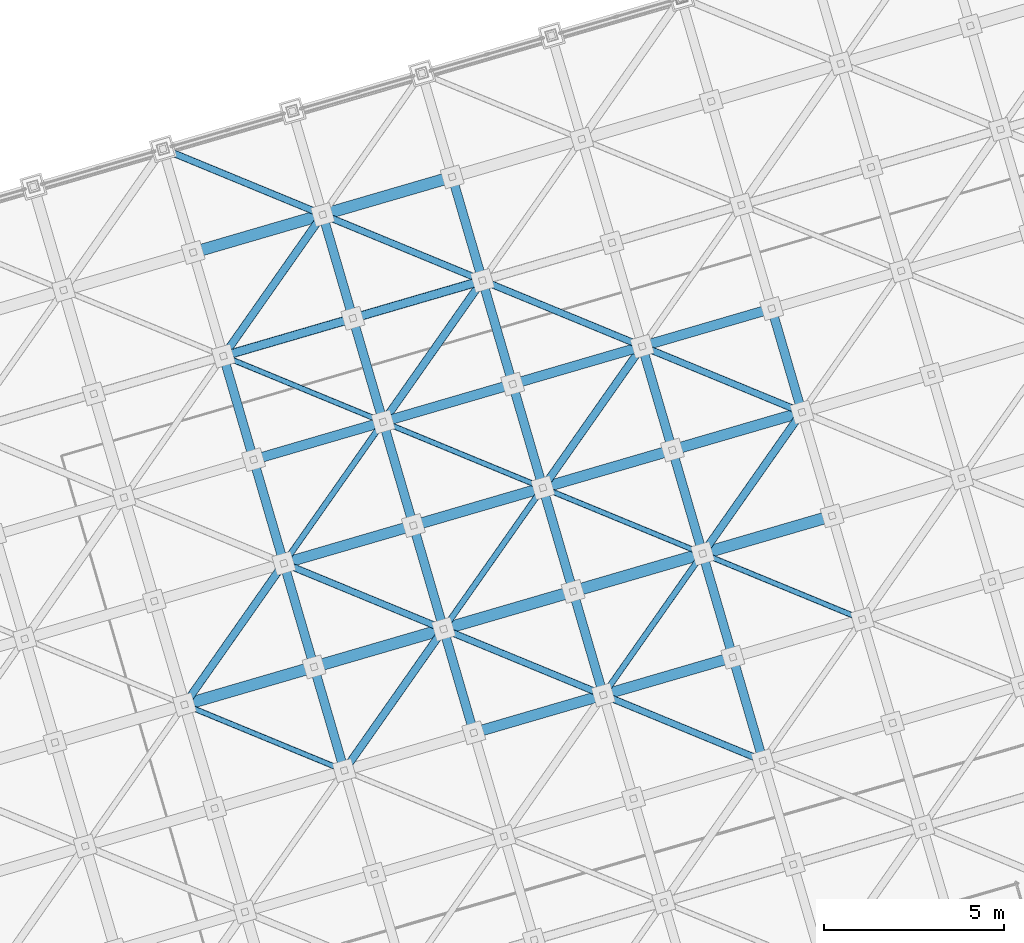
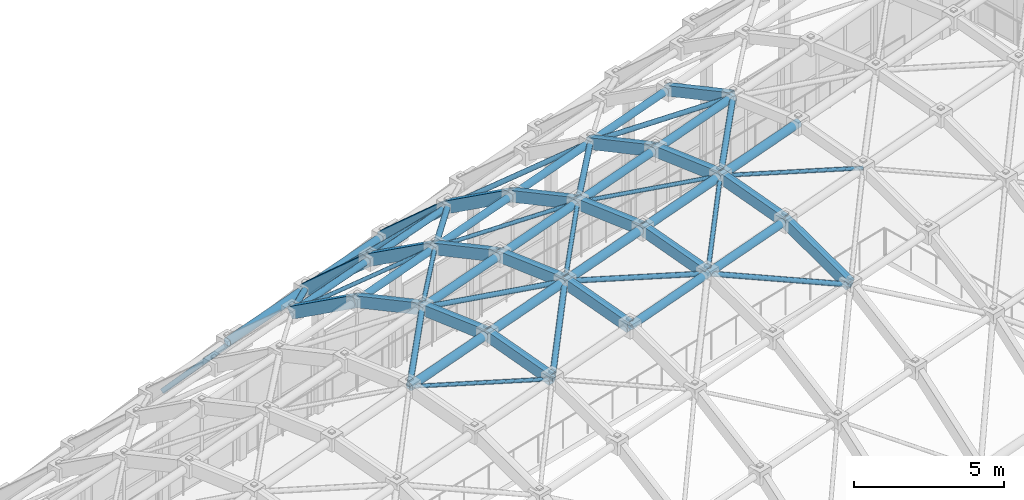
# One storey, part 58 of 248: 40 members, 19 beams.
"""IFC4 building model written with IfcOpenShell, lengths in metres."""

import ifcopenshell
import ifcopenshell.guid

model = None  # the IFC model being written
_history = None  # IfcOwnerHistory: only IFC2X3 demands one
_inside = {}  # id of a spatial element -> (the spatial element, [elements in it])
_under = {}  # id of a project, library or spatial element -> (it, [spatial elements below it])
_declared = {}  # id of a project -> (the project, [libraries it declares])
_typed = {}  # id of a type object -> (the type object, [elements of that type])
_made_of = {}  # id of a material, layer set ... -> (it, [elements and type objects made of it])


def new_model(schema):
    """Start an empty IFC model of exactly this schema.

    Asked for "IFC4X3", IfcOpenShell would pick the latest addendum, in which some entities
    have other attributes; the version numbers below select the first issue.
    IFC2X3 requires an IfcOwnerHistory on every rooted entity: one is made here for all.
    """
    global model, _history
    if schema == "IFC4X3":
        model = ifcopenshell.file(schema_version=(4, 3, 0, 0))
    else:
        model = ifcopenshell.file(schema=schema)
    _inside.clear()
    _under.clear()
    _declared.clear()
    _typed.clear()
    _made_of.clear()
    _history = None
    if model.schema == "IFC2X3":
        org = make("IfcOrganization", Name="unknown")
        user = make(
            "IfcPersonAndOrganization",
            ThePerson=make("IfcPerson", FamilyName="unknown"),
            TheOrganization=org,
        )
        app = make(
            "IfcApplication",
            ApplicationDeveloper=org,
            Version="unknown",
            ApplicationFullName="unknown",
            ApplicationIdentifier="unknown",
        )
        _history = make(
            "IfcOwnerHistory",
            OwningUser=user,
            OwningApplication=app,
            ChangeAction="ADDED",
            CreationDate=0,
        )
    return model


def make(cls, **values):
    """One entity of the class cls with the attributes given. An attribute that is None is left unset."""
    return model.create_entity(
        cls, **{name: value for name, value in values.items() if value is not None}
    )


def rooted(cls, **values):
    """An entity with a GlobalId (a new one), such as an element, a storey or a relation."""
    return make(cls, GlobalId=ifcopenshell.guid.new(), OwnerHistory=_history, **values)


def si_unit(unit_type, name, prefix=None):
    """IfcSIUnit, for example si_unit("LENGTHUNIT", "METRE", prefix="MILLI")."""
    return make("IfcSIUnit", UnitType=unit_type, Prefix=prefix, Name=name)


def assignment(units):
    """IfcUnitAssignment: the units of a project."""
    return None if units is None else make("IfcUnitAssignment", Units=units)


def point(xyz):
    """IfcCartesianPoint."""
    return None if xyz is None else make("IfcCartesianPoint", Coordinates=xyz)


def direction(xyz):
    """IfcDirection."""
    return None if xyz is None else make("IfcDirection", DirectionRatios=xyz)


def frame(location, z_axis=None, x_axis=None):
    """IfcAxis2Placement3D, a coordinate frame: its origin and axes. An axis left out is left unset."""
    return make(
        "IfcAxis2Placement3D",
        Location=point(location),
        Axis=direction(z_axis),
        RefDirection=direction(x_axis),
    )


def frame_2d(location, x_axis=None):
    """IfcAxis2Placement2D, a coordinate frame in the plane: its origin and x axis."""
    return make(
        "IfcAxis2Placement2D", Location=point(location), RefDirection=direction(x_axis)
    )


def origin():
    """The frame at (0, 0, 0) with its axes left unset."""
    return frame((0.0, 0.0, 0.0))


def origin_2d():
    """The frame at (0, 0) in the plane with its x axis left unset."""
    return frame_2d((0.0, 0.0))


def place(relative_to, where):
    """IfcLocalPlacement: puts the frame where relative to a parent placement (None: the world)."""
    return make(
        "IfcLocalPlacement", PlacementRelTo=relative_to, RelativePlacement=where
    )


def context(
    kind, dimensions, precision=None, world=None, true_north=None, identifier=None
):
    """IfcGeometricRepresentationContext, for example the 3D "Model" context."""
    return make(
        "IfcGeometricRepresentationContext",
        ContextIdentifier=identifier,
        ContextType=kind,
        CoordinateSpaceDimension=dimensions,
        Precision=precision,
        WorldCoordinateSystem=world,
        TrueNorth=true_north,
    )


def subcontext(parent, identifier, kind, view, scale=None):
    """IfcGeometricRepresentationSubContext, for example "Body" below "Model"."""
    return make(
        "IfcGeometricRepresentationSubContext",
        ContextIdentifier=identifier,
        ContextType=kind,
        ParentContext=parent,
        TargetScale=scale,
        TargetView=view,
    )


def project(units=None, contexts=None):
    """IfcProject with its units and contexts."""
    return rooted(
        "IfcProject",
        Name="project",
        RepresentationContexts=contexts,
        UnitsInContext=assignment(units),
    )


def spatial(cls, under=None, at=None, **own):
    """A site, building, storey or space (cls), placed at a placement, below another one or the project."""
    s = rooted(cls, ObjectPlacement=at, **own)
    if under is not None:
        _under.setdefault(under.id(), (under, []))[1].append(s)
    return s


def profile(cls, at=None, kind="AREA", **sizes):
    """A parametric profile (cls). Its sizes go by their IFC names, for example OverallWidth=200.0."""
    return make(cls, ProfileType=kind, Position=at, **sizes)


def hollow_rectangle(**sizes):
    """IfcRectangleHollowProfileDef."""
    return profile("IfcRectangleHollowProfileDef", **sizes)


def hollow_circle(**sizes):
    """IfcCircleHollowProfileDef."""
    return profile("IfcCircleHollowProfileDef", **sizes)


def extrude(swept, where, along, depth):
    """IfcExtrudedAreaSolid: the profile swept, set in the frame where, extruded along a direction by depth."""
    return make(
        "IfcExtrudedAreaSolid",
        SweptArea=swept,
        Position=where,
        ExtrudedDirection=direction(along),
        Depth=depth,
    )


def shape(context_of_items, identifier, shape_type, items):
    """IfcShapeRepresentation: the items that make up one representation, for example the "Body"."""
    return make(
        "IfcShapeRepresentation",
        ContextOfItems=context_of_items,
        RepresentationIdentifier=identifier,
        RepresentationType=shape_type,
        Items=items,
    )


def material(Name=None, Category=None):
    """IfcMaterial."""
    return make("IfcMaterial", Name=Name, Category=Category)


def material_profile(
    of_material, cross_section, Name=None, Category=None, Priority=None
):
    """IfcMaterialProfile: a cross section and its material."""
    return make(
        "IfcMaterialProfile",
        Name=Name,
        Material=of_material,
        Profile=cross_section,
        Priority=Priority,
        Category=Category,
    )


def profile_set(profiles, Name=None, composite=None):
    """IfcMaterialProfileSet."""
    return make(
        "IfcMaterialProfileSet",
        Name=Name,
        MaterialProfiles=profiles,
        CompositeProfile=composite,
    )


def made_of(thing, what):
    """Note that an element or type object is made of a material, layer set ...; save() writes the relation."""
    if what is not None:
        _made_of.setdefault(what.id(), (what, []))[1].append(thing)
    return thing


def type_object(cls, material=None, **own):
    """A type object (cls), such as IfcWallType, which elements share."""
    return made_of(rooted(cls, **own), material)


def element(
    cls,
    number,
    at=None,
    inside=None,
    cuts=None,
    type_object=None,
    material=None,
    context=None,
    identifier="Body",
    shape_type=None,
    held_by="IfcProductDefinitionShape",
    body=None,
    shapes=None,
    **own,
):
    """One element of the class cls, such as IfcWall. Its Tag is "e" and its number.

    at: its placement. inside: the storey or other place that contains it. cuts: it is an
    opening in that element (IfcRelVoidsElement). A single representation is given by context,
    identifier, shape_type and body (its items); several are given by shapes. held_by: the class
    of the entity that holds the representations. save() writes the other relations.
    """
    e = rooted(cls, Tag="e%d" % number, ObjectPlacement=at, **own)
    if body is not None:
        shapes = [shape(context, identifier, shape_type, body)]
    if shapes is not None:
        e.Representation = make(held_by, Representations=shapes)
    if inside is not None:
        _inside.setdefault(inside.id(), (inside, []))[1].append(e)
    if cuts is not None:
        rooted(
            "IfcRelVoidsElement", RelatingBuildingElement=cuts, RelatedOpeningElement=e
        )
    if type_object is not None:
        _typed.setdefault(type_object.id(), (type_object, []))[1].append(e)
    return made_of(e, material)


def aggregate(whole, parts):
    """IfcRelAggregates: a whole, such as a stair, and the parts it consists of."""
    return rooted("IfcRelAggregates", RelatingObject=whole, RelatedObjects=parts)


def save(model, path):
    """Write the relations noted so far, then the file.

    IfcRelAggregates (storeys below a building ...), IfcRelContainedInSpatialStructure (elements
    in a storey), IfcRelDefinesByType, IfcRelAssociatesMaterial and IfcRelDeclares: one each for
    every whole, place, type object, material and project.
    """
    for whole, parts in _under.values():
        aggregate(whole, parts)
    for where, things in _inside.values():
        rooted(
            "IfcRelContainedInSpatialStructure",
            RelatedElements=things,
            RelatingStructure=where,
        )
    for kind, things in _typed.values():
        rooted("IfcRelDefinesByType", RelatedObjects=things, RelatingType=kind)
    for what, things in _made_of.values():
        rooted("IfcRelAssociatesMaterial", RelatedObjects=things, RelatingMaterial=what)
    for by, libraries in _declared.values():
        rooted("IfcRelDeclares", RelatingContext=by, RelatedDefinitions=libraries)
    model.write(path)


model = new_model("IFC4")

# Units and contexts
model_context = context("Model", 3, precision=1e-05, world=origin(), true_north=direction((0.0, 1.0)))
body_context = subcontext(model_context, "Body", "Model", "MODEL_VIEW")
ifc_project = project(units=[si_unit("LENGTHUNIT", "METRE"), si_unit("AREAUNIT", "SQUARE_METRE"), si_unit("VOLUMEUNIT", "CUBIC_METRE"), si_unit("PLANEANGLEUNIT", "RADIAN"), si_unit("MASSUNIT", "GRAM", prefix="KILO")], contexts=[model_context])

# Site, building, storey
site_placement = place(None, origin())
site = spatial("IfcSite", under=ifc_project, at=site_placement, CompositionType="ELEMENT")
building_placement = place(site_placement, origin())
building = spatial("IfcBuilding", under=site, at=building_placement, Name="Canggui Botanical Conservatory", CompositionType="ELEMENT")
storey_placement = place(building_placement, frame((0.0, 0.0, 5.39990234375)))
storey = spatial("IfcBuildingStorey", under=building, at=storey_placement, Name="L02", CompositionType="ELEMENT", Elevation=5.39990234375)

# Beams
ifc_material = material(Name="Steel Q355C", Category="steel")
ifc_material_profile_1 = material_profile(ifc_material, hollow_rectangle(XDim=0.25, YDim=0.449951171875, WallThickness=0.013916015625, at=origin_2d()), Name="RHS 250x450x14")
ifc_profile_set_1 = profile_set([ifc_material_profile_1], Name="Steel Q355C")
beam_type_1 = type_object("IfcBeamType", Name="BM-GJ02", PredefinedType="BEAM", material=ifc_profile_set_1)
beam_1_placement = place(storey_placement, frame((31.0400390625, 57.719970703125, 13.816162109375), z_axis=(-0.277749375577, 0.952225917953, 0.126968836903), x_axis=(-0.959995442804, -0.2800156242, 0.0)))
element("IfcBeam", 1, at=beam_1_placement, inside=storey, type_object=beam_type_1, Name="Conservatory Stepped-Arch Rib GJ-05 Segment 5", PredefinedType="BEAM", context=body_context, shape_type="SweptSolid", body=[
    extrude(hollow_rectangle(XDim=0.25, YDim=0.449951171875, WallThickness=0.013916015625, at=origin_2d()), origin(), (0.0, 0.0, 1.0), 3.024658203125),
])
beam_2_placement = place(storey_placement, frame((30.199951171875, 60.60009765625, 14.2001953125), z_axis=(-0.277696227377, 0.952239737831, -0.126981443507), x_axis=(-0.960010937337, -0.279962497833, 0.0)))
element("IfcBeam", 2, at=beam_2_placement, inside=storey, type_object=beam_type_1, Name="Conservatory Stepped-Arch Rib GJ-05 Segment 6", PredefinedType="BEAM", context=body_context, shape_type="SweptSolid", body=[
    extrude(hollow_rectangle(XDim=0.25, YDim=0.449951171875, WallThickness=0.013916015625, at=origin_2d()), origin(), (0.0, 0.0, 1.0), 3.0244140625),
])
beam_3_placement = place(storey_placement, frame((29.360107421875, 63.47998046875, 13.816162109375), z_axis=(-0.261403948618, 0.896187847093, -0.358490332324), x_axis=(-0.959995442804, -0.2800156242, 0.0)))
element("IfcBeam", 3, at=beam_3_placement, inside=storey, type_object=beam_type_1, Name="Conservatory Stepped-Arch Rib GJ-05 Segment 7", PredefinedType="BEAM", context=body_context, shape_type="SweptSolid", body=[
    extrude(hollow_rectangle(XDim=0.25, YDim=0.449951171875, WallThickness=0.013916015625, at=origin_2d()), origin(), (0.0, 0.0, 1.0), 3.2138671875),
])
beam_4_placement = place(storey_placement, frame((28.52001953125, 66.360107421875, 12.6640625), z_axis=(-0.235868359053, 0.808574008543, -0.539049339028), x_axis=(-0.959989061447, -0.280037500885, 0.0)))
element("IfcBeam", 4, at=beam_4_placement, inside=storey, type_object=beam_type_1, Name="Conservatory Stepped-Arch Rib GJ-05 Segment 8", PredefinedType="BEAM", context=body_context, shape_type="SweptSolid", body=[
    extrude(hollow_rectangle(XDim=0.25, YDim=0.449951171875, WallThickness=0.013916015625, at=origin_2d()), origin(), (0.0, 0.0, 1.0), 3.561767578125),
])
beam_5_placement = place(storey_placement, frame((34.639892578125, 58.77001953125, 14.066162109375), z_axis=(-0.277696227377, 0.952239737831, 0.126981443507), x_axis=(-0.960010937337, -0.279962497833, 0.0)))
element("IfcBeam", 5, at=beam_5_placement, inside=storey, type_object=beam_type_1, Name="Conservatory Stepped-Arch Rib GJ-06 Segment 5", PredefinedType="BEAM", context=body_context, shape_type="SweptSolid", body=[
    extrude(hollow_rectangle(XDim=0.25, YDim=0.449951171875, WallThickness=0.013916015625, at=origin_2d()), origin(), (0.0, 0.0, 1.0), 3.0244140625),
])
beam_6_placement = place(storey_placement, frame((33.800048828125, 61.64990234375, 14.4501953125), z_axis=(-0.277749375577, 0.952225917953, -0.126968836903), x_axis=(-0.959995442804, -0.2800156242, 0.0)))
element("IfcBeam", 6, at=beam_6_placement, inside=storey, type_object=beam_type_1, Name="Conservatory Stepped-Arch Rib GJ-06 Segment 6", PredefinedType="BEAM", context=body_context, shape_type="SweptSolid", body=[
    extrude(hollow_rectangle(XDim=0.25, YDim=0.449951171875, WallThickness=0.013916015625, at=origin_2d()), origin(), (0.0, 0.0, 1.0), 3.024658203125),
])
beam_7_placement = place(storey_placement, frame((32.9599609375, 64.530029296875, 14.066162109375), z_axis=(-0.2613509637, 0.896190688314, -0.358521859796), x_axis=(-0.960010937337, -0.279962497833, 0.0)))
element("IfcBeam", 7, at=beam_7_placement, inside=storey, type_object=beam_type_1, Name="Conservatory Stepped-Arch Rib GJ-06 Segment 7", PredefinedType="BEAM", context=body_context, shape_type="SweptSolid", body=[
    extrude(hollow_rectangle(XDim=0.25, YDim=0.449951171875, WallThickness=0.013916015625, at=origin_2d()), origin(), (0.0, 0.0, 1.0), 3.21337890625),
])
beam_8_placement = place(storey_placement, frame((32.1201171875, 67.409912109375, 12.9140625), z_axis=(-0.23585528661, 0.808597737907, -0.539019463499), x_axis=(-0.959995442804, -0.2800156242, 0.0)))
element("IfcBeam", 8, at=beam_8_placement, inside=storey, type_object=beam_type_1, Name="Conservatory Stepped-Arch Rib GJ-06 Segment 8", PredefinedType="BEAM", context=body_context, shape_type="SweptSolid", body=[
    extrude(hollow_rectangle(XDim=0.25, YDim=0.449951171875, WallThickness=0.013916015625, at=origin_2d()), origin(), (0.0, 0.0, 1.0), 3.561767578125),
])
beam_9_placement = place(storey_placement, frame((31.280029296875, 70.2900390625, 10.994140625), z_axis=(-0.208562233276, 0.714966609628, -0.66732641336), x_axis=(-0.959989061447, -0.280037500885, 0.0)))
element("IfcBeam", 9, at=beam_9_placement, inside=storey, type_object=beam_type_1, Name="Conservatory Stepped-Arch Rib GJ-06 Segment 9", PredefinedType="BEAM", context=body_context, shape_type="SweptSolid", body=[
    extrude(hollow_rectangle(XDim=0.25, YDim=0.449951171875, WallThickness=0.013916015625, at=origin_2d()), origin(), (0.0, 0.0, 1.0), 4.028076171875),
])
beam_10_placement = place(storey_placement, frame((38.239990234375, 59.820068359375, 14.316162109375), z_axis=(-0.277770725345, 0.952218388891, 0.12697859662), x_axis=(-0.959989061447, -0.280037500885, 0.0)))
element("IfcBeam", 10, at=beam_10_placement, inside=storey, type_object=beam_type_1, Name="Conservatory Stepped-Arch Rib GJ-07 Segment 5", PredefinedType="BEAM", context=body_context, shape_type="SweptSolid", body=[
    extrude(hollow_rectangle(XDim=0.25, YDim=0.449951171875, WallThickness=0.013916015625, at=origin_2d()), origin(), (0.0, 0.0, 1.0), 3.0244140625),
])
beam_11_placement = place(storey_placement, frame((37.39990234375, 62.699951171875, 14.7001953125), z_axis=(-0.277674882378, 0.952247263781, -0.126971683134), x_axis=(-0.960017315421, -0.279940626011, 0.0)))
element("IfcBeam", 11, at=beam_11_placement, inside=storey, type_object=beam_type_1, Name="Conservatory Stepped-Arch Rib GJ-07 Segment 6", PredefinedType="BEAM", context=body_context, shape_type="SweptSolid", body=[
    extrude(hollow_rectangle(XDim=0.25, YDim=0.449951171875, WallThickness=0.013916015625, at=origin_2d()), origin(), (0.0, 0.0, 1.0), 3.024658203125),
])
beam_12_placement = place(storey_placement, frame((36.56005859375, 65.580078125, 14.316162109375), z_axis=(-0.261421746348, 0.896172891578, -0.358514740196), x_axis=(-0.959989061447, -0.280037500885, 0.0)))
element("IfcBeam", 12, at=beam_12_placement, inside=storey, type_object=beam_type_1, Name="Conservatory Stepped-Arch Rib GJ-07 Segment 7", PredefinedType="BEAM", context=body_context, shape_type="SweptSolid", body=[
    extrude(hollow_rectangle(XDim=0.25, YDim=0.449951171875, WallThickness=0.013916015625, at=origin_2d()), origin(), (0.0, 0.0, 1.0), 3.213623046875),
])
beam_13_placement = place(storey_placement, frame((35.719970703125, 68.4599609375, 13.1640625), z_axis=(-0.23585528661, 0.808597737907, -0.539019463499), x_axis=(-0.959995442804, -0.2800156242, 0.0)))
element("IfcBeam", 13, at=beam_13_placement, inside=storey, type_object=beam_type_1, Name="Conservatory Stepped-Arch Rib GJ-07 Segment 8", PredefinedType="BEAM", context=body_context, shape_type="SweptSolid", body=[
    extrude(hollow_rectangle(XDim=0.25, YDim=0.449951171875, WallThickness=0.013916015625, at=origin_2d()), origin(), (0.0, 0.0, 1.0), 3.561767578125),
])
beam_14_placement = place(storey_placement, frame((34.8798828125, 71.340087890625, 11.244140625), z_axis=(-0.208504257707, 0.714975646487, -0.667334848069), x_axis=(-0.960010937337, -0.279962497833, 0.0)))
element("IfcBeam", 14, at=beam_14_placement, inside=storey, type_object=beam_type_1, Name="Conservatory Stepped-Arch Rib GJ-07 Segment 9", PredefinedType="BEAM", context=body_context, shape_type="SweptSolid", body=[
    extrude(hollow_rectangle(XDim=0.25, YDim=0.449951171875, WallThickness=0.013916015625, at=origin_2d()), origin(), (0.0, 0.0, 1.0), 4.02783203125),
])
beam_15_placement = place(storey_placement, frame((42.679931640625, 57.989990234375, 13.4140625), z_axis=(-0.261333170082, 0.896205641703, 0.35849745047), x_axis=(-0.960017315421, -0.279940626011, 0.0)))
element("IfcBeam", 15, at=beam_15_placement, inside=storey, type_object=beam_type_1, Name="Conservatory Stepped-Arch Rib GJ-08 Segment 4", PredefinedType="BEAM", context=body_context, shape_type="SweptSolid", body=[
    extrude(hollow_rectangle(XDim=0.25, YDim=0.449951171875, WallThickness=0.013916015625, at=origin_2d()), origin(), (0.0, 0.0, 1.0), 3.213623046875),
])
for number, where, z_axis, x_axis, name in (
    (16, (41.840087890625, 60.8701171875, 14.566162109375), (-0.277770725345, 0.952218388891, 0.12697859662), (-0.959989061447, -0.280037500885, 0.0), "Conservatory Stepped-Arch Rib GJ-08 Segment 5"),
    (17, (41.0, 63.75, 14.9501953125), (-0.277770725345, 0.952218388891, -0.12697859662), (-0.959989061447, -0.280037500885, 0.0), "Conservatory Stepped-Arch Rib GJ-08 Segment 6"),
):
    element("IfcBeam", number, at=place(storey_placement, frame(where, z_axis=z_axis, x_axis=x_axis)), inside=storey, type_object=beam_type_1, Name=name, PredefinedType="BEAM", context=body_context, shape_type="SweptSolid", body=[
        extrude(hollow_rectangle(XDim=0.25, YDim=0.449951171875, WallThickness=0.013916015625, at=origin_2d()), origin(), (0.0, 0.0, 1.0), 3.0244140625),
    ])
beam_16_placement = place(storey_placement, frame((40.159912109375, 66.6298828125, 14.566162109375), z_axis=(-0.261333170082, 0.896205641703, -0.35849745047), x_axis=(-0.960017315421, -0.279940626011, 0.0)))
element("IfcBeam", 18, at=beam_16_placement, inside=storey, type_object=beam_type_1, Name="Conservatory Stepped-Arch Rib GJ-08 Segment 7", PredefinedType="BEAM", context=body_context, shape_type="SweptSolid", body=[
    extrude(hollow_rectangle(XDim=0.25, YDim=0.449951171875, WallThickness=0.013916015625, at=origin_2d()), origin(), (0.0, 0.0, 1.0), 3.213623046875),
])
ifc_material_profile_2 = material_profile(ifc_material, hollow_rectangle(XDim=0.25, YDim=0.39990234375, WallThickness=0.013916015625, at=origin_2d()), Name="RHS 250x400x14")
ifc_profile_set_2 = profile_set([ifc_material_profile_2], Name="Steel Q355C")
beam_type_2 = type_object("IfcBeamType", Name="BM-GJ03", PredefinedType="BEAM", material=ifc_profile_set_2)
beam_17_placement = place(storey_placement, frame((43.760009765625, 67.679931640625, 14.816162109375), z_axis=(-0.261403948618, 0.896187847093, -0.358490332324), x_axis=(-0.959995442804, -0.2800156242, 0.0)))
element("IfcBeam", 19, at=beam_17_placement, inside=storey, type_object=beam_type_2, Name="Conservatory Stepped-Arch Rib GJ-09 Segment 7", PredefinedType="BEAM", context=body_context, shape_type="SweptSolid", body=[
    extrude(hollow_rectangle(XDim=0.25, YDim=0.39990234375, WallThickness=0.013916015625, at=origin_2d()), origin(), (0.0, 0.0, 1.0), 3.2138671875),
])

# Members
ifc_material_profile_3 = material_profile(ifc_material, hollow_circle(Radius=0.16259765625, WallThickness=0.011962890625, at=origin_2d()), Name="CHS 325x12")
ifc_profile_set_3 = profile_set([ifc_material_profile_3], Name="Steel Q355C")
member_type_1 = type_object("IfcMemberType", Name="MEM-GSC01", PredefinedType="CHORD", material=ifc_profile_set_3)
for number, where, z_axis, x_axis, name in (
    (20, (26.60009765625, 59.550048828125, 13.9501953125), (0.957867059601, 0.279402253194, 0.066521252562), (-0.280022500685, 0.959993437014, 0.0), "Conservatory Gridshell Longitudinal Chord 4-5"),
    (21, (30.199951171875, 60.60009765625, 14.2001953125), (0.957889800097, 0.279324979006, 0.066518320582), (-0.279945000113, 0.960016039924, 0.0), "Conservatory Gridshell Longitudinal Chord 5-5"),
):
    element("IfcMember", number, at=place(storey_placement, frame(where, z_axis=z_axis, x_axis=x_axis)), inside=storey, type_object=member_type_1, Name=name, PredefinedType="CHORD", context=body_context, shape_type="SweptSolid", body=[
        extrude(hollow_circle(Radius=0.16259765625, WallThickness=0.011962890625, at=origin_2d()), origin(), (0.0, 0.0, 1.0), 3.75830078125),
    ])
member_1_placement = place(storey_placement, frame((26.840087890625, 72.1201171875, 8.05615234375), z_axis=(0.95788444389, 0.279342360714, 0.066522459854), x_axis=(-0.279962497833, 0.960010937337, 0.0)))
element("IfcMember", 22, at=member_1_placement, inside=storey, type_object=member_type_1, Name="Conservatory Gridshell Longitudinal Chord 5-9", PredefinedType="CHORD", context=body_context, shape_type="SweptSolid", body=[
    extrude(hollow_circle(Radius=0.16259765625, WallThickness=0.011962890625, at=origin_2d()), origin(), (0.0, 0.0, 1.0), 3.758056640625),
])
member_2_placement = place(storey_placement, frame((33.800048828125, 61.64990234375, 14.4501953125), z_axis=(0.957867059601, 0.279402253194, 0.066521252562), x_axis=(-0.280022500685, 0.959993437014, 0.0)))
element("IfcMember", 23, at=member_2_placement, inside=storey, type_object=member_type_1, Name="Conservatory Gridshell Longitudinal Chord 6-5", PredefinedType="CHORD", context=body_context, shape_type="SweptSolid", body=[
    extrude(hollow_circle(Radius=0.16259765625, WallThickness=0.011962890625, at=origin_2d()), origin(), (0.0, 0.0, 1.0), 3.75830078125),
])
for number, where, z_axis, x_axis, name in (
    (24, (30.43994140625, 73.169921875, 8.30615234375), (0.957872417874, 0.27938486839, 0.066517113516), (-0.280004999853, 0.959998541695, 0.0), "Conservatory Gridshell Longitudinal Chord 6-9"),
    (25, (37.39990234375, 62.699951171875, 14.7001953125), (0.957872417874, 0.27938486839, 0.066517113516), (-0.280004999853, 0.959998541695, 0.0), "Conservatory Gridshell Longitudinal Chord 7-5"),
    (26, (41.0, 63.75, 14.9501953125), (0.957872417874, 0.27938486839, 0.066517113516), (-0.280004999853, 0.959998541695, 0.0), "Conservatory Gridshell Longitudinal Chord 8-5"),
):
    element("IfcMember", number, at=place(storey_placement, frame(where, z_axis=z_axis, x_axis=x_axis)), inside=storey, type_object=member_type_1, Name=name, PredefinedType="CHORD", context=body_context, shape_type="SweptSolid", body=[
        extrude(hollow_circle(Radius=0.16259765625, WallThickness=0.011962890625, at=origin_2d()), origin(), (0.0, 0.0, 1.0), 3.758544921875),
    ])
ifc_material_profile_4 = material_profile(ifc_material, hollow_circle(Radius=0.1494140625, WallThickness=0.011962890625, at=origin_2d()), Name="CHS 299x12")
ifc_profile_set_4 = profile_set([ifc_material_profile_4], Name="Steel Q355C")
member_type_2 = type_object("IfcMemberType", Name="MEM-GSC02", PredefinedType="CHORD", material=ifc_profile_set_4)
member_3_placement = place(storey_placement, frame((29.360107421875, 63.47998046875, 13.816162109375), z_axis=(0.957867059601, 0.279402253194, 0.066521252562), x_axis=(-0.280022500685, 0.959993437014, 0.0)))
element("IfcMember", 27, at=member_3_placement, inside=storey, type_object=member_type_2, Name="Conservatory Gridshell Longitudinal Chord 5-6", PredefinedType="CHORD", context=body_context, shape_type="SweptSolid", body=[
    extrude(hollow_circle(Radius=0.1494140625, WallThickness=0.011962890625, at=origin_2d()), origin(), (0.0, 0.0, 1.0), 3.75830078125),
])
for number, where, z_axis, x_axis, name in (
    (28, (34.639892578125, 58.77001953125, 14.066162109375), (0.957872417874, 0.27938486839, 0.066517113516), (-0.280004999853, 0.959998541695, 0.0), "Conservatory Gridshell Longitudinal Chord 6-4"),
    (29, (32.9599609375, 64.530029296875, 14.066162109375), (0.957872417874, 0.27938486839, 0.066517113516), (-0.280004999853, 0.959998541695, 0.0), "Conservatory Gridshell Longitudinal Chord 6-6"),
    (30, (38.239990234375, 59.820068359375, 14.316162109375), (0.957872417874, 0.27938486839, 0.066517113516), (-0.280004999853, 0.959998541695, 0.0), "Conservatory Gridshell Longitudinal Chord 7-4"),
):
    element("IfcMember", number, at=place(storey_placement, frame(where, z_axis=z_axis, x_axis=x_axis)), inside=storey, type_object=member_type_2, Name=name, PredefinedType="CHORD", context=body_context, shape_type="SweptSolid", body=[
        extrude(hollow_circle(Radius=0.1494140625, WallThickness=0.011962890625, at=origin_2d()), origin(), (0.0, 0.0, 1.0), 3.758544921875),
    ])
member_4_placement = place(storey_placement, frame((36.56005859375, 65.580078125, 14.316162109375), z_axis=(0.95788444389, 0.279342360714, 0.066522459854), x_axis=(-0.279962497833, 0.960010937337, 0.0)))
element("IfcMember", 31, at=member_4_placement, inside=storey, type_object=member_type_2, Name="Conservatory Gridshell Longitudinal Chord 7-6", PredefinedType="CHORD", context=body_context, shape_type="SweptSolid", body=[
    extrude(hollow_circle(Radius=0.1494140625, WallThickness=0.011962890625, at=origin_2d()), origin(), (0.0, 0.0, 1.0), 3.758056640625),
])
member_5_placement = place(storey_placement, frame((40.159912109375, 66.6298828125, 14.566162109375), z_axis=(0.957872417874, 0.27938486839, 0.066517113516), x_axis=(-0.280004999853, 0.959998541695, 0.0)))
element("IfcMember", 32, at=member_5_placement, inside=storey, type_object=member_type_2, Name="Conservatory Gridshell Longitudinal Chord 8-6", PredefinedType="CHORD", context=body_context, shape_type="SweptSolid", body=[
    extrude(hollow_circle(Radius=0.1494140625, WallThickness=0.011962890625, at=origin_2d()), origin(), (0.0, 0.0, 1.0), 3.758544921875),
])
ifc_material_profile_5 = material_profile(ifc_material, hollow_circle(Radius=0.136474609375, WallThickness=0.010009765625, at=origin_2d()), Name="CHS 273x10")
ifc_profile_set_5 = profile_set([ifc_material_profile_5], Name="Steel Q355C")
member_type_3 = type_object("IfcMemberType", Name="MEM-GSC03", PredefinedType="CHORD", material=ifc_profile_set_5)
for number, where, z_axis, x_axis, name in (
    (33, (28.52001953125, 66.360107421875, 12.6640625), (0.957889800097, 0.279324979006, 0.066518320582), (-0.279945000113, 0.960016039924, 0.0), "Conservatory Gridshell Longitudinal Chord 5-7"),
    (34, (32.1201171875, 67.409912109375, 12.9140625), (0.957867059601, 0.279402253194, 0.066521252562), (-0.280022500685, 0.959993437014, 0.0), "Conservatory Gridshell Longitudinal Chord 6-7"),
):
    element("IfcMember", number, at=place(storey_placement, frame(where, z_axis=z_axis, x_axis=x_axis)), inside=storey, type_object=member_type_3, Name=name, PredefinedType="CHORD", context=body_context, shape_type="SweptSolid", body=[
        extrude(hollow_circle(Radius=0.136474609375, WallThickness=0.010009765625, at=origin_2d()), origin(), (0.0, 0.0, 1.0), 3.75830078125),
    ])
member_6_placement = place(storey_placement, frame((35.719970703125, 68.4599609375, 13.1640625), z_axis=(0.957872417874, 0.27938486839, 0.066517113516), x_axis=(-0.280004999853, 0.959998541695, 0.0)))
element("IfcMember", 35, at=member_6_placement, inside=storey, type_object=member_type_3, Name="Conservatory Gridshell Longitudinal Chord 7-7", PredefinedType="CHORD", context=body_context, shape_type="SweptSolid", body=[
    extrude(hollow_circle(Radius=0.136474609375, WallThickness=0.010009765625, at=origin_2d()), origin(), (0.0, 0.0, 1.0), 3.758544921875),
])
member_7_placement = place(storey_placement, frame((39.320068359375, 69.510009765625, 13.4140625), z_axis=(0.957867059601, 0.279402253194, 0.066521252562), x_axis=(-0.280022500685, 0.959993437014, 0.0)))
element("IfcMember", 36, at=member_7_placement, inside=storey, type_object=member_type_3, Name="Conservatory Gridshell Longitudinal Chord 8-7", PredefinedType="CHORD", context=body_context, shape_type="SweptSolid", body=[
    extrude(hollow_circle(Radius=0.136474609375, WallThickness=0.010009765625, at=origin_2d()), origin(), (0.0, 0.0, 1.0), 3.75830078125),
])
ifc_material_profile_6 = material_profile(ifc_material, hollow_circle(Radius=0.12255859375, WallThickness=0.010009765625, at=origin_2d()), Name="CHS 245x10")
ifc_profile_set_6 = profile_set([ifc_material_profile_6], Name="Steel Q355C")
member_type_4 = type_object("IfcMemberType", Name="MEM-GSC04", PredefinedType="CHORD", material=ifc_profile_set_6)
member_8_placement = place(storey_placement, frame((27.679931640625, 69.239990234375, 10.744140625), z_axis=(0.957872417874, 0.27938486839, 0.066517113516), x_axis=(-0.280004999853, 0.959998541695, 0.0)))
element("IfcMember", 37, at=member_8_placement, inside=storey, type_object=member_type_4, Name="Conservatory Gridshell Longitudinal Chord 5-8", PredefinedType="CHORD", context=body_context, shape_type="SweptSolid", body=[
    extrude(hollow_circle(Radius=0.12255859375, WallThickness=0.010009765625, at=origin_2d()), origin(), (0.0, 0.0, 1.0), 3.758544921875),
])
member_9_placement = place(storey_placement, frame((31.280029296875, 70.2900390625, 10.994140625), z_axis=(0.957867059601, 0.279402253194, 0.066521252562), x_axis=(-0.280022500685, 0.959993437014, 0.0)))
element("IfcMember", 38, at=member_9_placement, inside=storey, type_object=member_type_4, Name="Conservatory Gridshell Longitudinal Chord 6-8", PredefinedType="CHORD", context=body_context, shape_type="SweptSolid", body=[
    extrude(hollow_circle(Radius=0.12255859375, WallThickness=0.010009765625, at=origin_2d()), origin(), (0.0, 0.0, 1.0), 3.75830078125),
])
ifc_material_profile_7 = material_profile(ifc_material, hollow_circle(Radius=0.109619140625, WallThickness=0.008056640625, at=origin_2d()), Name="CHS 219x8")
ifc_profile_set_7 = profile_set([ifc_material_profile_7], Name="Steel Q355C")
member_type_5 = type_object("IfcMemberType", Name="MEM-GSD01", PredefinedType="RAFTER", material=ifc_profile_set_7)
member_10_placement = place(storey_placement, frame((26.60009765625, 59.550048828125, 13.9501953125), z_axis=(0.574503779946, 0.818026302149, -0.027899387456), x_axis=(-0.818344854073, 0.574727500484, 0.0)))
element("IfcMember", 39, at=member_10_placement, inside=storey, type_object=member_type_5, Name="Conservatory Gridshell Diagrid Rafter 4-6", PredefinedType="RAFTER", context=body_context, shape_type="SweptSolid", body=[
    extrude(hollow_circle(Radius=0.109619140625, WallThickness=0.008056640625, at=origin_2d()), origin(), (0.0, 0.0, 1.0), 4.80419921875),
])
member_11_placement = place(storey_placement, frame((31.0400390625, 57.719970703125, 13.816162109375), z_axis=(0.569782960748, 0.811304406826, 0.130891317918), x_axis=(-0.818344854073, 0.574727500484, 0.0)))
element("IfcMember", 40, at=member_11_placement, inside=storey, type_object=member_type_5, Name="Conservatory Gridshell Diagrid Rafter 5-5", PredefinedType="RAFTER", context=body_context, shape_type="SweptSolid", body=[
    extrude(hollow_circle(Radius=0.109619140625, WallThickness=0.008056640625, at=origin_2d()), origin(), (0.0, 0.0, 1.0), 4.843994140625),
])
member_12_placement = place(storey_placement, frame((27.679931640625, 69.239990234375, 10.744140625), z_axis=(0.512469671775, 0.72969697537, -0.452677765798), x_axis=(-0.818344854073, 0.574727500484, 0.0)))
element("IfcMember", 41, at=member_12_placement, inside=storey, type_object=member_type_5, Name="Conservatory Gridshell Diagrid Rafter 5-9", PredefinedType="RAFTER", context=body_context, shape_type="SweptSolid", body=[
    extrude(hollow_circle(Radius=0.109619140625, WallThickness=0.008056640625, at=origin_2d()), origin(), (0.0, 0.0, 1.0), 5.3857421875),
])
member_13_placement = place(storey_placement, frame((32.1201171875, 67.409912109375, 12.9140625), z_axis=(0.542789727502, 0.772985583273, -0.32843964403), x_axis=(-0.818385554577, 0.574669543355, 0.0)))
element("IfcMember", 42, at=member_13_placement, inside=storey, type_object=member_type_5, Name="Conservatory Gridshell Diagrid Rafter 6-8", PredefinedType="RAFTER", context=body_context, shape_type="SweptSolid", body=[
    extrude(hollow_circle(Radius=0.109619140625, WallThickness=0.008056640625, at=origin_2d()), origin(), (0.0, 0.0, 1.0), 5.08447265625),
])
member_14_placement = place(storey_placement, frame((36.56005859375, 65.580078125, 14.316162109375), z_axis=(0.564848070729, 0.804277699648, -0.184618630813), x_axis=(-0.818344854073, 0.574727500484, 0.0)))
element("IfcMember", 43, at=member_14_placement, inside=storey, type_object=member_type_5, Name="Conservatory Gridshell Diagrid Rafter 7-7", PredefinedType="RAFTER", context=body_context, shape_type="SweptSolid", body=[
    extrude(hollow_circle(Radius=0.109619140625, WallThickness=0.008056640625, at=origin_2d()), origin(), (0.0, 0.0, 1.0), 4.88623046875),
])
member_15_placement = place(storey_placement, frame((41.0, 63.75, 14.9501953125), z_axis=(0.574503779946, 0.818026302149, -0.027899387456), x_axis=(-0.818344854073, 0.574727500484, 0.0)))
element("IfcMember", 44, at=member_15_placement, inside=storey, type_object=member_type_5, Name="Conservatory Gridshell Diagrid Rafter 8-6", PredefinedType="RAFTER", context=body_context, shape_type="SweptSolid", body=[
    extrude(hollow_circle(Radius=0.109619140625, WallThickness=0.008056640625, at=origin_2d()), origin(), (0.0, 0.0, 1.0), 4.80419921875),
])
ifc_material_profile_8 = material_profile(ifc_material, hollow_circle(Radius=0.096923828125, WallThickness=0.008056640625, at=origin_2d()), Name="CHS 194x8")
ifc_profile_set_8 = profile_set([ifc_material_profile_8], Name="Steel Q355C")
member_type_6 = type_object("IfcMemberType", Name="MEM-GSD02", PredefinedType="RAFTER", material=ifc_profile_set_8)
member_16_placement = place(storey_placement, frame((29.360107421875, 63.47998046875, 13.816162109375), z_axis=(0.916587168266, -0.37780366289, 0.130890623336), x_axis=(0.381082183428, 0.924541166998, 0.0)))
element("IfcMember", 45, at=member_16_placement, inside=storey, type_object=member_type_6, Name="Conservatory Gridshell Diagrid Rafter 5-6", PredefinedType="RAFTER", context=body_context, shape_type="SweptSolid", body=[
    extrude(hollow_circle(Radius=0.096923828125, WallThickness=0.008056640625, at=origin_2d()), origin(), (0.0, 0.0, 1.0), 4.843994140625),
])
member_17_placement = place(storey_placement, frame((26.0, 75.0, 4.60009765625), z_axis=(0.731931437404, -0.301691304013, 0.61094903881), x_axis=(0.381082183428, 0.924541166998, 0.0)))
element("IfcMember", 46, at=member_17_placement, inside=storey, type_object=member_type_6, Name="Conservatory Gridshell Diagrid Rafter 5-10", PredefinedType="RAFTER", context=body_context, shape_type="SweptSolid", body=[
    extrude(hollow_circle(Radius=0.096923828125, WallThickness=0.008056640625, at=origin_2d()), origin(), (0.0, 0.0, 1.0), 6.066162109375),
])
member_18_placement = place(storey_placement, frame((33.800048828125, 61.64990234375, 14.4501953125), z_axis=(0.924199170591, -0.380890398305, -0.027899777007), x_axis=(0.381038726983, 0.924559077907, 0.0)))
element("IfcMember", 47, at=member_18_placement, inside=storey, type_object=member_type_6, Name="Conservatory Gridshell Diagrid Rafter 6-5", PredefinedType="RAFTER", context=body_context, shape_type="SweptSolid", body=[
    extrude(hollow_circle(Radius=0.096923828125, WallThickness=0.008056640625, at=origin_2d()), origin(), (0.0, 0.0, 1.0), 4.80419921875),
])
member_19_placement = place(storey_placement, frame((30.43994140625, 73.169921875, 8.30615234375), z_axis=(0.78866860804, -0.325034159093, 0.52187606011), x_axis=(0.381038726983, 0.924559077907, 0.0)))
element("IfcMember", 48, at=member_19_placement, inside=storey, type_object=member_type_6, Name="Conservatory Gridshell Diagrid Rafter 6-9", PredefinedType="RAFTER", context=body_context, shape_type="SweptSolid", body=[
    extrude(hollow_circle(Radius=0.096923828125, WallThickness=0.008056640625, at=origin_2d()), origin(), (0.0, 0.0, 1.0), 5.629638671875),
])
member_20_placement = place(storey_placement, frame((38.239990234375, 59.820068359375, 14.316162109375), z_axis=(0.90864869029, -0.374531539779, -0.184617668021), x_axis=(0.381082183428, 0.924541166998, 0.0)))
element("IfcMember", 49, at=member_20_placement, inside=storey, type_object=member_type_6, Name="Conservatory Gridshell Diagrid Rafter 7-4", PredefinedType="RAFTER", context=body_context, shape_type="SweptSolid", body=[
    extrude(hollow_circle(Radius=0.096923828125, WallThickness=0.008056640625, at=origin_2d()), origin(), (0.0, 0.0, 1.0), 4.88623046875),
])
member_21_placement = place(storey_placement, frame((34.8798828125, 71.340087890625, 11.244140625), z_axis=(0.842538517379, -0.347262810044, 0.411749180319), x_axis=(0.381064272615, 0.924548549367, 0.0)))
element("IfcMember", 50, at=member_21_placement, inside=storey, type_object=member_type_6, Name="Conservatory Gridshell Diagrid Rafter 7-8", PredefinedType="RAFTER", context=body_context, shape_type="SweptSolid", body=[
    extrude(hollow_circle(Radius=0.096923828125, WallThickness=0.008056640625, at=origin_2d()), origin(), (0.0, 0.0, 1.0), 5.27001953125),
])
member_22_placement = place(storey_placement, frame((39.320068359375, 69.510009765625, 13.4140625), z_axis=(0.88748878428, -0.365809739743, 0.280262184544), x_axis=(0.381082183428, 0.924541166998, 0.0)))
element("IfcMember", 51, at=member_22_placement, inside=storey, type_object=member_type_6, Name="Conservatory Gridshell Diagrid Rafter 8-7", PredefinedType="RAFTER", context=body_context, shape_type="SweptSolid", body=[
    extrude(hollow_circle(Radius=0.096923828125, WallThickness=0.008056640625, at=origin_2d()), origin(), (0.0, 0.0, 1.0), 5.0029296875),
])
ifc_material_profile_9 = material_profile(ifc_material, hollow_circle(Radius=0.083984375, WallThickness=0.008056640625, at=origin_2d()), Name="CHS 168x8")
ifc_profile_set_9 = profile_set([ifc_material_profile_9], Name="Steel Q355C")
member_type_7 = type_object("IfcMemberType", Name="MEM-GSD03", PredefinedType="RAFTER", material=ifc_profile_set_9)
member_23_placement = place(storey_placement, frame((29.360107421875, 63.47998046875, 13.816162109375), z_axis=(0.564848070729, 0.804277699648, -0.184618630813), x_axis=(-0.818344854073, 0.574727500484, 0.0)))
element("IfcMember", 52, at=member_23_placement, inside=storey, type_object=member_type_7, Name="Conservatory Gridshell Diagrid Rafter 5-7", PredefinedType="RAFTER", context=body_context, shape_type="SweptSolid", body=[
    extrude(hollow_circle(Radius=0.083984375, WallThickness=0.008056640625, at=origin_2d()), origin(), (0.0, 0.0, 1.0), 4.88623046875),
])
member_24_placement = place(storey_placement, frame((33.800048828125, 61.64990234375, 14.4501953125), z_axis=(0.574479898045, 0.818043113554, -0.027898227689), x_axis=(-0.818361645525, 0.574703590674, 0.0)))
element("IfcMember", 53, at=member_24_placement, inside=storey, type_object=member_type_7, Name="Conservatory Gridshell Diagrid Rafter 6-6", PredefinedType="RAFTER", context=body_context, shape_type="SweptSolid", body=[
    extrude(hollow_circle(Radius=0.083984375, WallThickness=0.008056640625, at=origin_2d()), origin(), (0.0, 0.0, 1.0), 4.804443359375),
])
member_25_placement = place(storey_placement, frame((38.239990234375, 59.820068359375, 14.316162109375), z_axis=(0.569782960748, 0.811304406826, 0.130891317918), x_axis=(-0.818344854073, 0.574727500484, 0.0)))
element("IfcMember", 54, at=member_25_placement, inside=storey, type_object=member_type_7, Name="Conservatory Gridshell Diagrid Rafter 7-5", PredefinedType="RAFTER", context=body_context, shape_type="SweptSolid", body=[
    extrude(hollow_circle(Radius=0.083984375, WallThickness=0.008056640625, at=origin_2d()), origin(), (0.0, 0.0, 1.0), 4.843994140625),
])
ifc_material_profile_10 = material_profile(ifc_material, hollow_circle(Radius=0.075927734375, WallThickness=0.006103515625, at=origin_2d()), Name="CHS 152x6")
ifc_profile_set_10 = profile_set([ifc_material_profile_10], Name="Steel Q355C")
member_type_8 = type_object("IfcMemberType", Name="MEM-GSD04", PredefinedType="RAFTER", material=ifc_profile_set_10)
member_26_placement = place(storey_placement, frame((26.60009765625, 59.550048828125, 13.9501953125), z_axis=(0.924181280591, -0.380933843578, -0.027899236943), x_axis=(0.381082183428, 0.924541166998, 0.0)))
element("IfcMember", 55, at=member_26_placement, inside=storey, type_object=member_type_8, Name="Conservatory Gridshell Diagrid Rafter 4-5", PredefinedType="RAFTER", context=body_context, shape_type="SweptSolid", body=[
    extrude(hollow_circle(Radius=0.075927734375, WallThickness=0.006103515625, at=origin_2d()), origin(), (0.0, 0.0, 1.0), 4.80419921875),
])
member_27_placement = place(storey_placement, frame((27.679931640625, 69.239990234375, 10.744140625), z_axis=(0.842538517379, -0.347262810044, 0.411749180319), x_axis=(0.381064272615, 0.924548549367, 0.0)))
element("IfcMember", 56, at=member_27_placement, inside=storey, type_object=member_type_8, Name="Conservatory Gridshell Diagrid Rafter 5-8", PredefinedType="RAFTER", context=body_context, shape_type="SweptSolid", body=[
    extrude(hollow_circle(Radius=0.075927734375, WallThickness=0.006103515625, at=origin_2d()), origin(), (0.0, 0.0, 1.0), 5.27001953125),
])
member_28_placement = place(storey_placement, frame((32.1201171875, 67.409912109375, 12.9140625), z_axis=(0.887504626881, -0.365767468298, 0.280267187517), x_axis=(0.381038726983, 0.924559077907, 0.0)))
element("IfcMember", 57, at=member_28_placement, inside=storey, type_object=member_type_8, Name="Conservatory Gridshell Diagrid Rafter 6-7", PredefinedType="RAFTER", context=body_context, shape_type="SweptSolid", body=[
    extrude(hollow_circle(Radius=0.075927734375, WallThickness=0.006103515625, at=origin_2d()), origin(), (0.0, 0.0, 1.0), 5.002685546875),
])
member_29_placement = place(storey_placement, frame((36.56005859375, 65.580078125, 14.316162109375), z_axis=(0.916587168266, -0.37780366289, 0.130890623336), x_axis=(0.381082183428, 0.924541166998, 0.0)))
element("IfcMember", 58, at=member_29_placement, inside=storey, type_object=member_type_8, Name="Conservatory Gridshell Diagrid Rafter 7-6", PredefinedType="RAFTER", context=body_context, shape_type="SweptSolid", body=[
    extrude(hollow_circle(Radius=0.075927734375, WallThickness=0.006103515625, at=origin_2d()), origin(), (0.0, 0.0, 1.0), 4.843994140625),
])
member_30_placement = place(storey_placement, frame((41.0, 63.75, 14.9501953125), z_axis=(0.924181280591, -0.380933843578, -0.027899236943), x_axis=(0.381082183428, 0.924541166998, 0.0)))
element("IfcMember", 59, at=member_30_placement, inside=storey, type_object=member_type_8, Name="Conservatory Gridshell Diagrid Rafter 8-5", PredefinedType="RAFTER", context=body_context, shape_type="SweptSolid", body=[
    extrude(hollow_circle(Radius=0.075927734375, WallThickness=0.006103515625, at=origin_2d()), origin(), (0.0, 0.0, 1.0), 4.80419921875),
])

save(model, "model.ifc")
